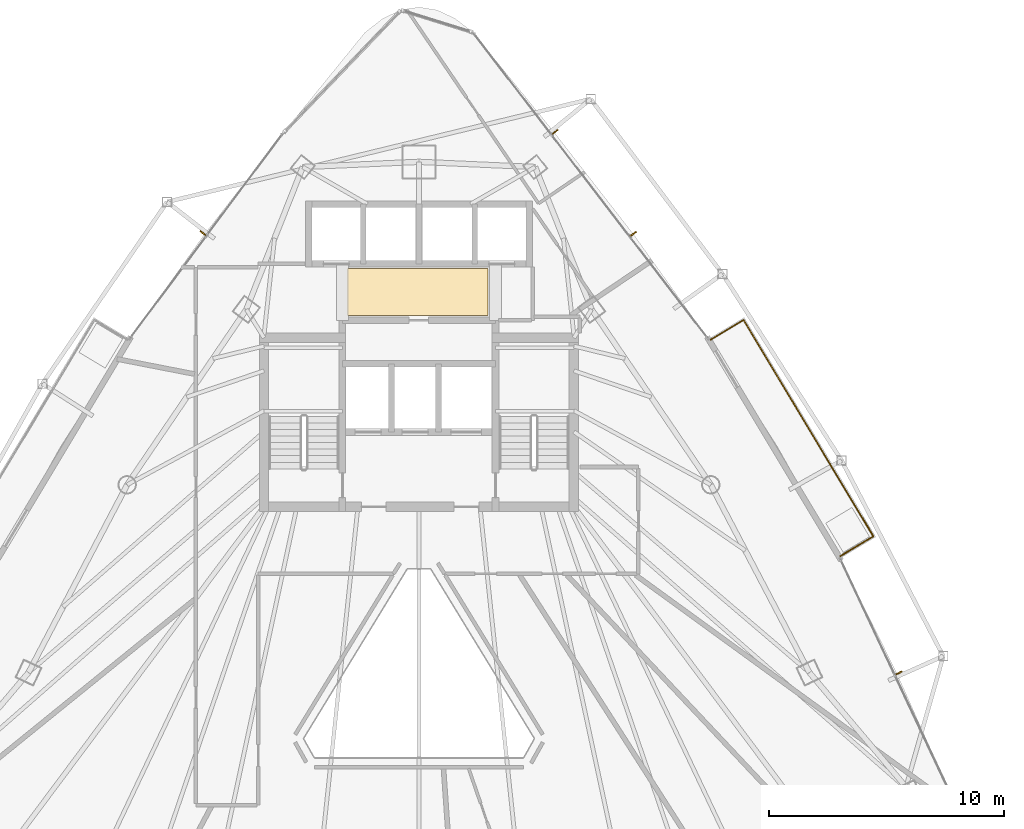
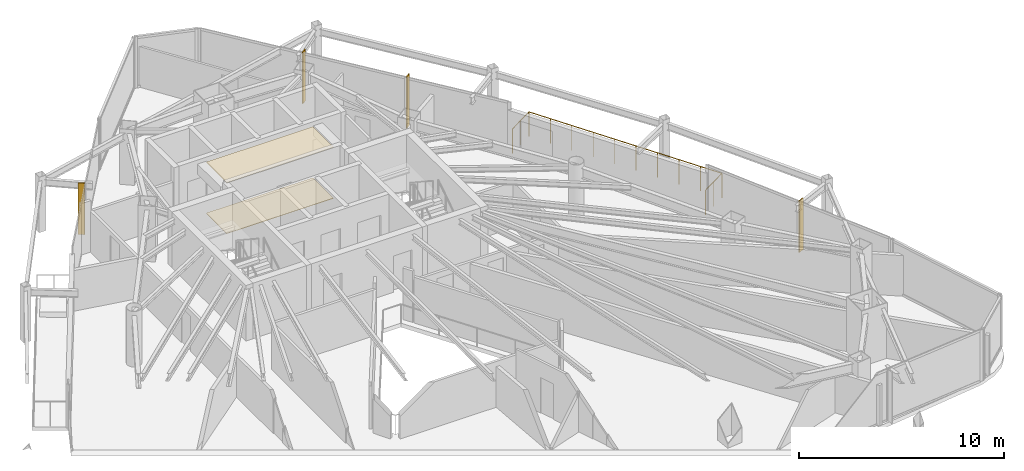
# One storey, part 29 of 29: 4 shading devices, 2 coverings, 1 railing.
"""IFC4 building model written with IfcOpenShell, lengths in metres."""

from ifc_helpers import new_model, si_unit, direction, frame, origin, origin_2d, place, context, subcontext, project, spatial, polyline, rectangle, circle, outline, extrude, material, layer, layer_set, type_object, element, save


model = new_model("IFC4")

# Units and contexts
model_context = context("Model", 3, precision=1e-05, world=origin(), true_north=direction((0.0, 1.0)))
body_context = subcontext(model_context, "Body", "Model", "MODEL_VIEW")
ifc_project = project(units=[si_unit("LENGTHUNIT", "METRE"), si_unit("AREAUNIT", "SQUARE_METRE"), si_unit("VOLUMEUNIT", "CUBIC_METRE"), si_unit("PLANEANGLEUNIT", "RADIAN"), si_unit("MASSUNIT", "GRAM", prefix="KILO")], contexts=[model_context])

# Site, building, storey
site_placement = place(None, origin())
site = spatial("IfcSite", under=ifc_project, at=site_placement, CompositionType="ELEMENT")
building_placement = place(site_placement, origin())
building = spatial("IfcBuilding", under=site, at=building_placement, Name="Orvanel Arch Residences", CompositionType="ELEMENT")
storey_placement = place(building_placement, frame((0.0, 0.0, 163.85009765625)))
storey = spatial("IfcBuildingStorey", under=building, at=storey_placement, Name="L46", CompositionType="ELEMENT", Elevation=163.85009765625)

# Coverings
ifc_material_1 = material(Name="Perforated acoustic mineral-fibre ceiling tile", Category="gypsum")
ifc_layer_1 = layer(ifc_material_1, 0.034912109375)
ifc_layer_set_1 = layer_set([ifc_layer_1], Name="Perforated acoustic mineral-fibre ceiling tile")
covering_type_1 = type_object("IfcCoveringType", Name="COV-CLG-ACS35", PredefinedType="CEILING", material=ifc_layer_set_1)
covering_1_placement = place(storey_placement, frame((0.0, 0.0, 3.02490234375)))
element("IfcCovering", 1, at=covering_1_placement, inside=storey, type_object=covering_type_1, Name="L46 Lift Lobby Acoustic Ceiling", PredefinedType="CEILING", context=body_context, shape_type="SweptSolid", body=[
    extrude(outline(polyline([(29.949951171875, 34.85009765625), (35.949951171875, 34.85009765625), (35.949951171875, 36.85009765625), (29.949951171875, 36.85009765625), (29.949951171875, 34.85009765625)])), origin(), (0.0, 0.0, 1.0), 0.034912109375),
])
ifc_material_2 = material(Name="Honed cementitious terrazzo floor finish", Category="concrete")
ifc_layer_2 = layer(ifc_material_2, 0.02490234375)
ifc_layer_set_2 = layer_set([ifc_layer_2], Name="Honed cementitious terrazzo floor finish")
covering_type_2 = type_object("IfcCoveringType", Name="COV-FLR-TRZ25", PredefinedType="FLOORING", material=ifc_layer_set_2)
covering_2_placement = place(storey_placement, origin())
element("IfcCovering", 2, at=covering_2_placement, inside=storey, type_object=covering_type_2, Name="L46 Lift Lobby Terrazzo Flooring", PredefinedType="FLOORING", context=body_context, shape_type="SweptSolid", body=[
    extrude(outline(polyline([(29.949951171875, 34.85009765625), (35.949951171875, 34.85009765625), (35.949951171875, 36.85009765625), (29.949951171875, 36.85009765625), (29.949951171875, 34.85009765625)])), origin(), (0.0, 0.0, 1.0), 0.02490234375),
])

# Shading devices
ifc_material_3 = material(Name="Bronze-anodised aluminium AA6063-T6", Category="aluminium")
ifc_layer_3 = layer(ifc_material_3, 0.054931640625)
ifc_layer_set_3 = layer_set([ifc_layer_3], Name="Bronze-anodised aluminium AA6063-T6")
shading_device_type = type_object("IfcShadingDeviceType", Name="FIN-BRZ-320", PredefinedType="USERDEFINED", material=ifc_layer_set_3)
for number, where, z_axis, x_axis, name in (
    (3, (23.800048828125, 38.360107421875, -0.000244140625), (0.0, 0.0, 1.0), (-0.801775644244, 0.597625146976, 0.0), "L46 Anodised Bronze Mullion FIN 01"),
    (4, (53.43798828125, 19.6259765625, -0.000244140625), (0.0, 0.0, 1.0), (0.904827052466, 0.425779291565, 0.0), "L46 Anodised Bronze Mullion FIN 01"),
    (5, (42.1298828125, 38.327880859375, -0.000244140625), (0.0, 0.0, 1.0), (0.793353340291, 0.608761429009, 0.0), "L46 Anodised Bronze Mullion FIN 01"),
    (6, (38.794921875, 42.669921875, -0.000244140625), (0.0, 0.0, 1.0), (0.793353340291, 0.608761429009, 0.0), "L46 Anodised Bronze Mullion FIN 02"),
):
    element("IfcShadingDevice", number, at=place(storey_placement, frame(where, z_axis=z_axis, x_axis=x_axis)), inside=storey, type_object=shading_device_type, Name=name, ObjectType="FIN", PredefinedType="USERDEFINED", context=body_context, shape_type="SweptSolid", body=[
        extrude(rectangle(XDim=0.320068359375, YDim=0.054931640625, at=origin_2d()), origin(), (0.0, 0.0, 1.0), 3.06005859375),
    ])

# Railing
railing_type = type_object("IfcRailingType", Name="RL-BAL-1480", PredefinedType="BALUSTRADE", material=ifc_material_3)
railing_placement = place(storey_placement, frame((50.947021484375, 24.60400390625, 0.0)))
element("IfcRailing", 7, at=railing_placement, inside=storey, type_object=railing_type, Name="L46 Balcony Perimeter Guardrail Face 3", PredefinedType="BALUSTRADE", context=body_context, shape_type="SweptSolid", body=[
    extrude(circle(Radius=0.02392578125, at=origin_2d()), frame((0.001220703125, 0.000732421875, 1.4560546875), z_axis=(0.857545439568, 0.514408222208, 0.0), x_axis=(-0.514408222208, 0.857545439568, 0.0)), (0.0, 0.0, 1.0), 1.6376953125),
    extrude(circle(Radius=0.02392578125, at=origin_2d()), frame((1.40625, 0.84521484375, 1.4560546875), z_axis=(-0.514402191401, 0.857549057187, 0.0), x_axis=(-0.857549057187, -0.514402191401, 0.0)), (0.0, 0.0, 1.0), 10.74169921875),
    extrude(circle(Radius=0.02392578125, at=origin_2d()), frame((-4.121337890625, 10.057373046875, 1.4560546875), z_axis=(-0.857387817543, -0.514670895164, 0.0), x_axis=(0.514670895164, -0.857387817543, 0.0)), (0.0, 0.0, 1.0), 1.636962890625),
    extrude(circle(Radius=0.02099609375, at=origin_2d()), origin(), (0.0, 0.0, 1.0), 1.429931640625),
    extrude(circle(Radius=0.02099609375, at=origin_2d()), frame((0.70361328125, 0.421875, 0.0)), (0.0, 0.0, 1.0), 1.429931640625),
    extrude(circle(Radius=0.02099609375, at=origin_2d()), frame((1.406982421875, 0.843994140625, 0.0)), (0.0, 0.0, 1.0), 1.429931640625),
    extrude(circle(Radius=0.02099609375, at=origin_2d()), frame((0.79296875, 1.86767578125, 0.0)), (0.0, 0.0, 1.0), 1.429931640625),
    extrude(circle(Radius=0.02099609375, at=origin_2d()), frame((0.1787109375, 2.8916015625, 0.0)), (0.0, 0.0, 1.0), 1.429931640625),
    extrude(circle(Radius=0.02099609375, at=origin_2d()), frame((-0.435302734375, 3.915283203125, 0.0)), (0.0, 0.0, 1.0), 1.429931640625),
    extrude(circle(Radius=0.02099609375, at=origin_2d()), frame((-1.049560546875, 4.939208984375, 0.0)), (0.0, 0.0, 1.0), 1.429931640625),
    extrude(circle(Radius=0.02099609375, at=origin_2d()), frame((-1.66357421875, 5.962890625, 0.0)), (0.0, 0.0, 1.0), 1.429931640625),
    extrude(circle(Radius=0.02099609375, at=origin_2d()), frame((-2.27783203125, 6.98681640625, 0.0)), (0.0, 0.0, 1.0), 1.429931640625),
    extrude(circle(Radius=0.02099609375, at=origin_2d()), frame((-2.891845703125, 8.010498046875, 0.0)), (0.0, 0.0, 1.0), 1.429931640625),
    extrude(circle(Radius=0.02099609375, at=origin_2d()), frame((-3.506103515625, 9.034423828125, 0.0)), (0.0, 0.0, 1.0), 1.429931640625),
    extrude(circle(Radius=0.02099609375, at=origin_2d()), frame((-4.1201171875, 10.05810546875, 0.0)), (0.0, 0.0, 1.0), 1.429931640625),
    extrude(circle(Radius=0.02099609375, at=origin_2d()), frame((-4.8232421875, 9.63623046875, 0.0)), (0.0, 0.0, 1.0), 1.429931640625),
    extrude(circle(Radius=0.02099609375, at=origin_2d()), frame((-5.526123046875, 9.214111328125, 0.0)), (0.0, 0.0, 1.0), 1.429931640625),
])

save(model, "model.ifc")
